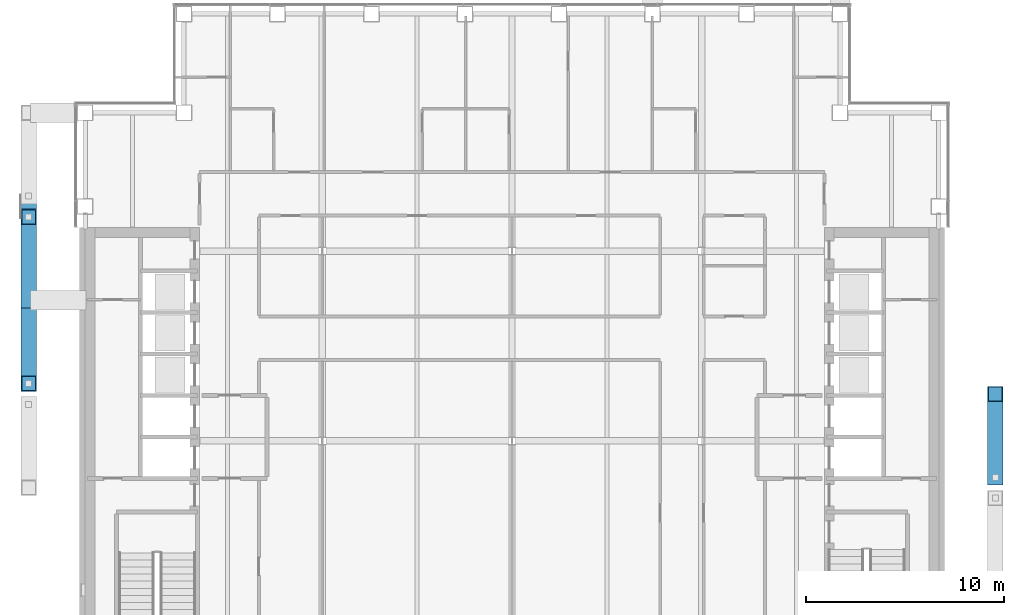
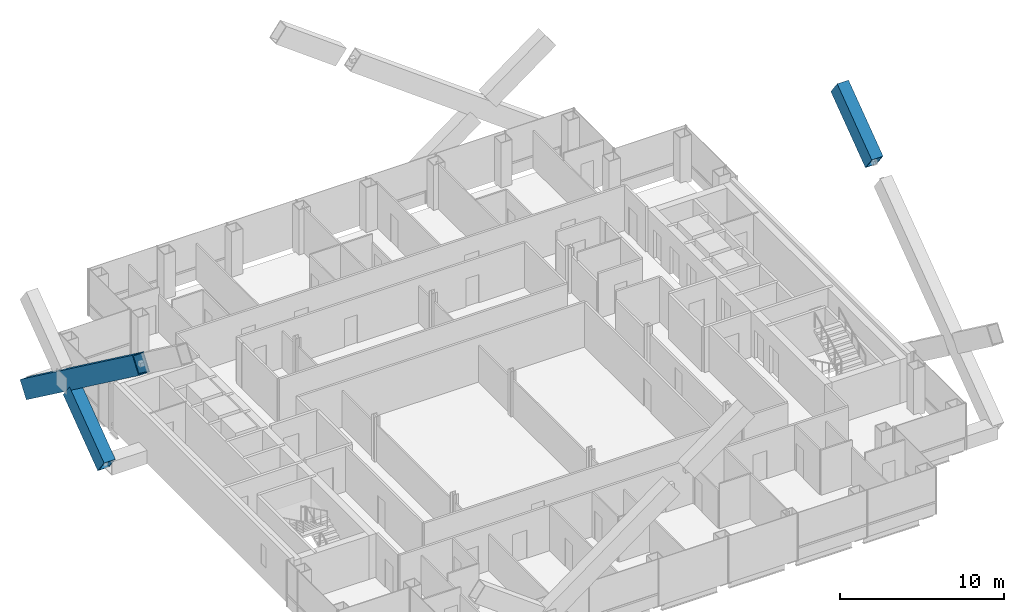
# One storey, part 6 of 16: 3 members.
"""IFC4 building model written with IfcOpenShell, lengths in metres."""

from ifc_helpers import new_model, si_unit, direction, frame, origin, origin_2d, place, context, subcontext, project, spatial, hollow_rectangle, extrude, material, material_profile, profile_set, type_object, element, save


model = new_model("IFC4")

# Units and contexts
model_context = context("Model", 3, precision=1e-05, world=origin(), true_north=direction((0.0, 1.0)))
body_context = subcontext(model_context, "Body", "Model", "MODEL_VIEW")
ifc_project = project(units=[si_unit("LENGTHUNIT", "METRE"), si_unit("AREAUNIT", "SQUARE_METRE"), si_unit("VOLUMEUNIT", "CUBIC_METRE"), si_unit("PLANEANGLEUNIT", "RADIAN"), si_unit("MASSUNIT", "GRAM", prefix="KILO")], contexts=[model_context])

# Site, building, storey
site_placement = place(None, origin())
site = spatial("IfcSite", under=ifc_project, at=site_placement, CompositionType="ELEMENT")
building_placement = place(site_placement, origin())
building = spatial("IfcBuilding", under=site, at=building_placement, Name="Cobrizo Arcos Hotel Tower", CompositionType="ELEMENT")
storey_placement = place(building_placement, frame((0.0, 0.0, 172.5)))
storey = spatial("IfcBuildingStorey", under=building, at=storey_placement, Name="L44", CompositionType="ELEMENT", Elevation=172.5)

# Members
ifc_material = material(Name="Steel ASTM A572 Grade 50", Category="steel")
ifc_material_profile = material_profile(ifc_material, hollow_rectangle(XDim=0.800048828125, YDim=1.300048828125, WallThickness=0.06005859375, at=origin_2d()), Name="BOX 800X1300X60")
ifc_profile_set = profile_set([ifc_material_profile], Name="Steel ASTM A572 Grade 50")
member_type = type_object("IfcMemberType", Name="BOX 800X1300X60 perimeter brace", PredefinedType="BRACE", material=ifc_profile_set)
member_1_placement = place(storey_placement, frame((24.449951171875, -1.84814453125, 11.385986328125), z_axis=(0.0, 0.804607444048, 0.593807090715), x_axis=(-1.0, 0.0, 0.0)))
element("IfcMember", 1, at=member_1_placement, inside=storey, type_object=member_type, Name="Perimeter brace PBR3, zone Z3, east face, no. 14b", PredefinedType="BRACE", context=body_context, shape_type="SweptSolid", body=[
    extrude(hollow_rectangle(XDim=0.800048828125, YDim=1.300048828125, WallThickness=0.06005859375, at=origin_2d()), origin(), (0.0, 0.0, 1.0), 5.244140625),
])
member_2_placement = place(storey_placement, frame((-24.449951171875, 16.60009765625, 0.5), z_axis=(0.0, -0.804630166974, 0.593776299961), x_axis=(1.0, 0.0, 0.0)))
element("IfcMember", 2, at=member_2_placement, inside=storey, type_object=member_type, Name="Perimeter brace PBR3, zone Z3, west face, no. 14", PredefinedType="BRACE", context=body_context, shape_type="SweptSolid", body=[
    extrude(hollow_rectangle(XDim=0.800048828125, YDim=1.300048828125, WallThickness=0.06005859375, at=origin_2d()), origin(), (0.0, 0.0, 1.0), 17.033447265625),
])
member_3_placement = place(storey_placement, frame((-24.449951171875, 7.1142578125, 0.5), z_axis=(0.0, 0.804623858684, 0.593784848271), x_axis=(-1.0, 0.0, 0.0)))
element("IfcMember", 3, at=member_3_placement, inside=storey, type_object=member_type, Name="Perimeter brace PBR3, zone Z3, west face, no. 15", PredefinedType="BRACE", context=body_context, shape_type="SweptSolid", body=[
    extrude(hollow_rectangle(XDim=0.800048828125, YDim=1.300048828125, WallThickness=0.06005859375, at=origin_2d()), origin(), (0.0, 0.0, 1.0), 5.244384765625),
])

save(model, "model.ifc")
